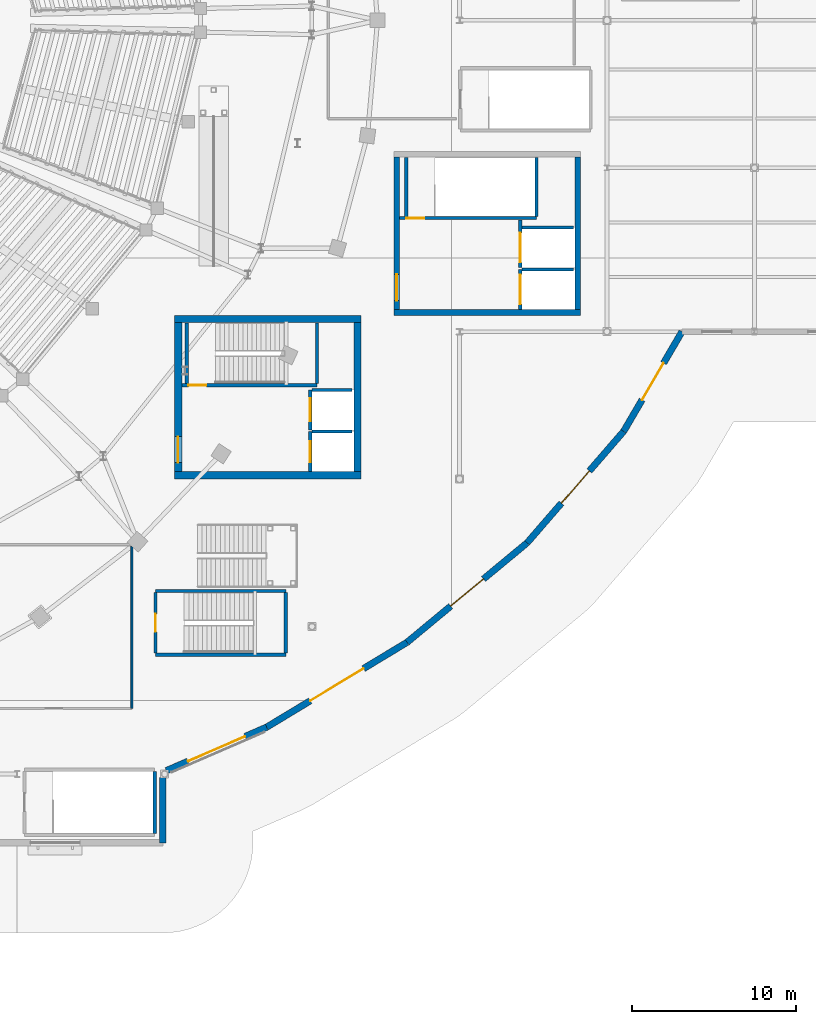
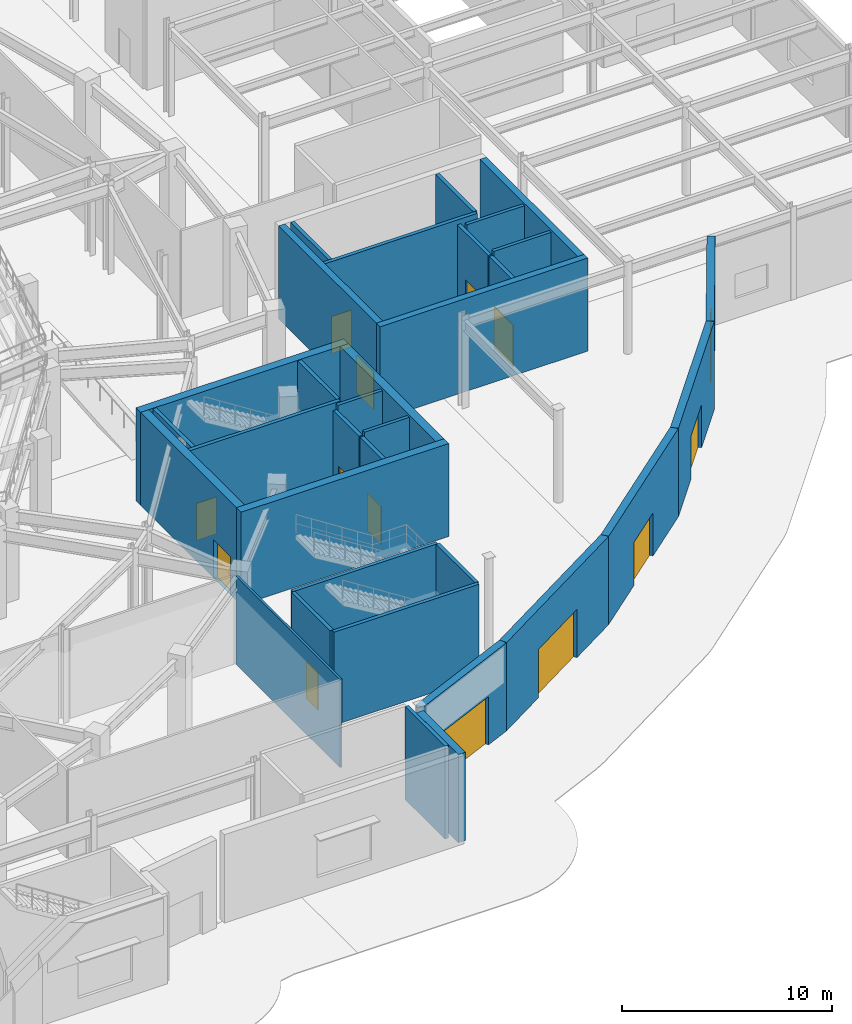
# One storey, part 54 of 79: 33 walls, 14 doors, 14 openings.
"""IFC4 building model written with IfcOpenShell, lengths in metres."""

from ifc_helpers import new_model, si_unit, direction, frame, frame_2d, origin, place, context, subcontext, project, spatial, rectangle, extrude, material, layer, layer_set, type_object, element, fill, save


model = new_model("IFC4")

# Units and contexts
model_context = context("Model", 3, precision=1e-05, world=origin(), true_north=direction((0.0, 1.0)))
body_context = subcontext(model_context, "Body", "Model", "MODEL_VIEW")
ifc_project = project(units=[si_unit("LENGTHUNIT", "METRE"), si_unit("AREAUNIT", "SQUARE_METRE"), si_unit("VOLUMEUNIT", "CUBIC_METRE"), si_unit("PLANEANGLEUNIT", "RADIAN"), si_unit("MASSUNIT", "GRAM", prefix="KILO")], contexts=[model_context])

# Site, building, storey
site_placement = place(None, origin())
site = spatial("IfcSite", under=ifc_project, at=site_placement, CompositionType="ELEMENT")
building_placement = place(site_placement, origin())
building = spatial("IfcBuilding", under=site, at=building_placement, Name="Glasvene Arena", CompositionType="ELEMENT")
storey_placement = place(building_placement, origin())
storey = spatial("IfcBuildingStorey", under=building, at=storey_placement, Name="L00", CompositionType="ELEMENT", Elevation=0.0)

# Wall
ifc_material_1 = material(Name="Concrete C40/50", Category="concrete")
ifc_layer_1 = layer(ifc_material_1, 0.35009765625)
ifc_layer_set_1 = layer_set([ifc_layer_1], Name="Concrete C40/50")
wall_type_1 = type_object("IfcWallType", Name="WL-CORE-350", PredefinedType="SHEAR", material=ifc_layer_set_1)
wall_1_placement = place(storey_placement, frame((143.0, 55.175048828125, 0.0), z_axis=(0.0, 0.0, 1.0), x_axis=(1.0, 0.0, 0.0)))
element("IfcWall", 1, at=wall_1_placement, inside=storey, type_object=wall_type_1, Name="Core C6 Production shear wall S L00", PredefinedType="SHEAR", context=body_context, shape_type="SweptSolid", body=[
    extrude(rectangle(XDim=11.39990234375, YDim=0.35009765625, at=frame_2d((5.699951171875, 0.0))), origin(), (0.0, 0.0, 1.0), 5.39990234375),
])

# Wall, opening, door
wall_2_placement = place(storey_placement, frame((143.175048828125, 55.35009765625, 0.0), z_axis=(0.0, 0.0, 1.0), x_axis=(0.0, 1.0, 0.0)))
wall_2 = element("IfcWall", 2, at=wall_2_placement, inside=storey, type_object=wall_type_1, Name="Core C6 Production shear wall W L00", PredefinedType="SHEAR", context=body_context, shape_type="SweptSolid", body=[
    extrude(rectangle(XDim=9.2998046875, YDim=0.35009765625, at=frame_2d((4.64990234375, 0.0))), origin(), (0.0, 0.0, 1.0), 5.39990234375),
])
opening_1_placement = place(wall_2_placement, frame((0.550048828125, 0.0, 0.0)))
opening_1 = element("IfcOpeningElement", 3, at=opening_1_placement, cuts=wall_2, Name="Opening D-02", PredefinedType="OPENING", context=body_context, shape_type="SweptSolid", body=[
    extrude(rectangle(XDim=1.60009765625, YDim=2.199951171875, at=frame_2d((0.800048828125, 1.10009765625))), frame((0.0, 0.18505859375, 0.0), z_axis=(0.0, -1.0, 0.0), x_axis=(1.0, 0.0, 0.0)), (0.0, 0.0, 1.0), 0.3701171875),
])
ifc_material_2 = material(Name="Painted fire-resisting steel", Category="steel")
door_type_1 = type_object("IfcDoorType", Name="DR-FD60-1600", OperationType="DOUBLE_DOOR_SINGLE_SWING", PredefinedType="DOOR", material=ifc_material_2)
door_1_placement = place(opening_1_placement, frame((1.60009765625, 0.0, 0.0), z_axis=(0.0, 0.0, 1.0), x_axis=(-1.0, 0.0, 0.0)))
door_1 = element("IfcDoor", 4, at=door_1_placement, inside=storey, type_object=door_type_1, Name="Core firefighting lobby concourse door C6-L00", OperationType="DOUBLE_DOOR_SINGLE_SWING", OverallHeight=2.199951171875, OverallWidth=1.60009765625, PredefinedType="DOOR", context=body_context, shape_type="SweptSolid", body=[
    extrude(rectangle(XDim=1.60009765625, YDim=2.199951171875, at=frame_2d((0.800048828125, 1.10009765625))), frame((0.0, 0.02490234375, 0.0), z_axis=(0.0, -1.0, 0.0), x_axis=(1.0, 0.0, 0.0)), (0.0, 0.0, 1.0), 0.050048828125),
])
fill(opening_1, door_1)

# Walls
wall_3_placement = place(storey_placement, frame((154.22509765625, 55.35009765625, 0.0), z_axis=(0.0, 0.0, 1.0), x_axis=(0.0, 1.0, 0.0)))
element("IfcWall", 5, at=wall_3_placement, inside=storey, type_object=wall_type_1, Name="Core C6 Production shear wall E L00", PredefinedType="SHEAR", context=body_context, shape_type="SweptSolid", body=[
    extrude(rectangle(XDim=9.2998046875, YDim=0.35009765625, at=frame_2d((4.64990234375, 0.0))), origin(), (0.0, 0.0, 1.0), 5.39990234375),
])
ifc_layer_2 = layer(ifc_material_1, 0.449951171875)
ifc_layer_set_2 = layer_set([ifc_layer_2], Name="Concrete C40/50")
wall_type_2 = type_object("IfcWallType", Name="WL-CORE-450", PredefinedType="SHEAR", material=ifc_layer_set_2)
for number, where, z_axis, x_axis, name in (
    (6, (129.60009765625, 45.22509765625, 0.0), (0.0, 0.0, 1.0), (1.0, 0.0, 0.0), "Core C4 South-East shear wall S L00"),
    (7, (129.60009765625, 54.77490234375, 0.0), (0.0, 0.0, 1.0), (1.0, 0.0, 0.0), "Core C4 South-East shear wall N L00"),
):
    element("IfcWall", number, at=place(storey_placement, frame(where, z_axis=z_axis, x_axis=x_axis)), inside=storey, type_object=wall_type_2, Name=name, PredefinedType="SHEAR", context=body_context, shape_type="SweptSolid", body=[
        extrude(rectangle(XDim=11.39990234375, YDim=0.449951171875, at=frame_2d((5.699951171875, 0.0))), origin(), (0.0, 0.0, 1.0), 5.39990234375),
    ])

# Wall, opening, door
wall_4_placement = place(storey_placement, frame((129.824951171875, 45.449951171875, 0.0), z_axis=(0.0, 0.0, 1.0), x_axis=(0.0, 1.0, 0.0)))
wall_4 = element("IfcWall", 8, at=wall_4_placement, inside=storey, type_object=wall_type_2, Name="Core C4 South-East shear wall W L00", PredefinedType="SHEAR", context=body_context, shape_type="SweptSolid", body=[
    extrude(rectangle(XDim=9.10009765625, YDim=0.449951171875, at=frame_2d((4.550048828125, 0.0))), origin(), (0.0, 0.0, 1.0), 5.39990234375),
])
opening_2_placement = place(wall_4_placement, frame((0.550048828125, 0.0, 0.0)))
opening_2 = element("IfcOpeningElement", 9, at=opening_2_placement, cuts=wall_4, Name="Opening D-02", PredefinedType="OPENING", context=body_context, shape_type="SweptSolid", body=[
    extrude(rectangle(XDim=1.60009765625, YDim=2.199951171875, at=frame_2d((0.800048828125, 1.10009765625))), frame((0.0, 0.23486328125, 0.0), z_axis=(0.0, -1.0, 0.0), x_axis=(1.0, 0.0, 0.0)), (0.0, 0.0, 1.0), 0.469970703125),
])
door_2_placement = place(opening_2_placement, frame((1.60009765625, 0.0, 0.0), z_axis=(0.0, 0.0, 1.0), x_axis=(-1.0, 0.0, 0.0)))
door_2 = element("IfcDoor", 10, at=door_2_placement, inside=storey, type_object=door_type_1, Name="Core firefighting lobby concourse door C4-L00", OperationType="DOUBLE_DOOR_SINGLE_SWING", OverallHeight=2.199951171875, OverallWidth=1.60009765625, PredefinedType="DOOR", context=body_context, shape_type="SweptSolid", body=[
    extrude(rectangle(XDim=1.60009765625, YDim=2.199951171875, at=frame_2d((0.800048828125, 1.10009765625))), frame((0.0, 0.02490234375, 0.0), z_axis=(0.0, -1.0, 0.0), x_axis=(1.0, 0.0, 0.0)), (0.0, 0.0, 1.0), 0.050048828125),
])
fill(opening_2, door_2)

# Wall
wall_5_placement = place(storey_placement, frame((140.77490234375, 45.449951171875, 0.0), z_axis=(0.0, 0.0, 1.0), x_axis=(0.0, 1.0, 0.0)))
element("IfcWall", 11, at=wall_5_placement, inside=storey, type_object=wall_type_2, Name="Core C4 South-East shear wall E L00", PredefinedType="SHEAR", context=body_context, shape_type="SweptSolid", body=[
    extrude(rectangle(XDim=9.10009765625, YDim=0.449951171875, at=frame_2d((4.550048828125, 0.0))), origin(), (0.0, 0.0, 1.0), 5.39990234375),
])

# Wall, opening, door
ifc_material_3 = material(Name="Coursed pale Irish limestone", Category="masonry")
ifc_layer_3 = layer(ifc_material_3, 0.39990234375)
ifc_layer_set_3 = layer_set([ifc_layer_3], Name="Coursed pale Irish limestone")
wall_type_3 = type_object("IfcWallType", Name="WL-EXT-LIM-400", PredefinedType="STANDARD", material=ifc_layer_set_3)
wall_6_placement = place(storey_placement, frame((160.580322265625, 54.0, 0.0), z_axis=(0.0, 0.0, 1.0), x_axis=(-0.505106237674, -0.863057175779, 0.0)))
wall_6 = element("IfcWall", 12, at=wall_6_placement, inside=storey, type_object=wall_type_3, Name="External facade wall EW-L00-0036", PredefinedType="STANDARD", context=body_context, shape_type="SweptSolid", body=[
    extrude(rectangle(XDim=7.051025390625, YDim=0.39990234375, at=frame_2d((3.525390625, 0.0))), origin(), (0.0, 0.0, 1.0), 5.1201171875),
])
opening_3_placement = place(wall_6_placement, frame((2.22607421875, 0.0, 0.0)))
opening_3 = element("IfcOpeningElement", 13, at=opening_3_placement, cuts=wall_6, Name="Opening G-EXIT", PredefinedType="OPENING", context=body_context, shape_type="SweptSolid", body=[
    extrude(rectangle(XDim=2.60009765625, YDim=2.5, at=frame_2d((1.300048828125, 1.25))), frame((0.0, 0.2099609375, 0.0), z_axis=(0.0, -1.0, 0.0), x_axis=(1.0, 0.0, 0.0)), (0.0, 0.0, 1.0), 0.419921875),
])
ifc_material_4 = material(Name="Galvanised painted steel", Category="steel")
door_type_2 = type_object("IfcDoorType", Name="DR-GATE-2600", OperationType="DOUBLE_DOOR_SINGLE_SWING", PredefinedType="DOOR", material=ifc_material_4)
door_3_placement = place(opening_3_placement, origin())
door_3 = element("IfcDoor", 14, at=door_3_placement, inside=storey, type_object=door_type_2, Name="Pedestrian exit gate G01", OperationType="DOUBLE_DOOR_SINGLE_SWING", OverallHeight=2.5, OverallWidth=2.60009765625, PredefinedType="DOOR", context=body_context, shape_type="SweptSolid", body=[
    extrude(rectangle(XDim=2.60009765625, YDim=2.5, at=frame_2d((1.300048828125, 1.25))), frame((0.0, 0.02490234375, 0.0), z_axis=(0.0, -1.0, 0.0), x_axis=(1.0, 0.0, 0.0)), (0.0, 0.0, 1.0), 0.050048828125),
])
fill(opening_3, door_3)

wall_7_placement = place(storey_placement, frame((157.018798828125, 47.91455078125, 0.0), z_axis=(0.0, 0.0, 1.0), x_axis=(-0.654583444965, -0.755989757588, 0.0)))
wall_7 = element("IfcWall", 15, at=wall_7_placement, inside=storey, type_object=wall_type_3, Name="External facade wall EW-L00-0037", PredefinedType="STANDARD", context=body_context, shape_type="SweptSolid", body=[
    extrude(rectangle(XDim=8.99951171875, YDim=0.39990234375, at=frame_2d((4.499755859375, 0.0))), origin(), (0.0, 0.0, 1.0), 5.1201171875),
])
opening_4_placement = place(wall_7_placement, frame((3.199951171875, 0.0, 0.0)))
opening_4 = element("IfcOpeningElement", 16, at=opening_4_placement, cuts=wall_7, Name="Opening G-EXIT", PredefinedType="OPENING", context=body_context, shape_type="SweptSolid", body=[
    extrude(rectangle(XDim=2.60009765625, YDim=2.5, at=frame_2d((1.300048828125, 1.25))), frame((0.0, 0.2099609375, 0.0), z_axis=(0.0, -1.0, 0.0), x_axis=(1.0, 0.0, 0.0)), (0.0, 0.0, 1.0), 0.419921875),
])
door_4_placement = place(opening_4_placement, origin())
door_4 = element("IfcDoor", 17, at=door_4_placement, inside=storey, type_object=door_type_2, Name="Pedestrian exit gate G02", OperationType="DOUBLE_DOOR_SINGLE_SWING", OverallHeight=2.5, OverallWidth=2.60009765625, PredefinedType="DOOR", context=body_context, shape_type="SweptSolid", body=[
    extrude(rectangle(XDim=2.60009765625, YDim=2.5, at=frame_2d((1.300048828125, 1.25))), frame((0.0, 0.02490234375, 0.0), z_axis=(0.0, -1.0, 0.0), x_axis=(1.0, 0.0, 0.0)), (0.0, 0.0, 1.0), 0.050048828125),
])
fill(opening_4, door_4)

wall_8_placement = place(storey_placement, frame((151.1279296875, 41.111083984375, 0.0), z_axis=(0.0, 0.0, 1.0), x_axis=(-0.770002821077, -0.638040481109, 0.0)))
wall_8 = element("IfcWall", 18, at=wall_8_placement, inside=storey, type_object=wall_type_3, Name="External facade wall EW-L00-0038", PredefinedType="STANDARD", context=body_context, shape_type="SweptSolid", body=[
    extrude(rectangle(XDim=9.509521484375, YDim=0.39990234375, at=frame_2d((4.7548828125, 0.0))), origin(), (0.0, 0.0, 1.0), 5.1201171875),
])
opening_5_placement = place(wall_8_placement, frame((3.455078125, 0.0, 0.0)))
opening_5 = element("IfcOpeningElement", 19, at=opening_5_placement, cuts=wall_8, Name="Opening G-EXIT", PredefinedType="OPENING", context=body_context, shape_type="SweptSolid", body=[
    extrude(rectangle(XDim=2.60009765625, YDim=2.5, at=frame_2d((1.300048828125, 1.25))), frame((0.0, 0.2099609375, 0.0), z_axis=(0.0, -1.0, 0.0), x_axis=(1.0, 0.0, 0.0)), (0.0, 0.0, 1.0), 0.419921875),
])
door_5_placement = place(opening_5_placement, origin())
door_5 = element("IfcDoor", 20, at=door_5_placement, inside=storey, type_object=door_type_2, Name="Pedestrian exit gate G03", OperationType="DOUBLE_DOOR_SINGLE_SWING", OverallHeight=2.5, OverallWidth=2.60009765625, PredefinedType="DOOR", context=body_context, shape_type="SweptSolid", body=[
    extrude(rectangle(XDim=2.60009765625, YDim=2.5, at=frame_2d((1.300048828125, 1.25))), frame((0.0, 0.02490234375, 0.0), z_axis=(0.0, -1.0, 0.0), x_axis=(1.0, 0.0, 0.0)), (0.0, 0.0, 1.0), 0.050048828125),
])
fill(opening_5, door_5)

wall_9_placement = place(storey_placement, frame((143.8056640625, 35.043701171875, 0.0), z_axis=(0.0, 0.0, 1.0), x_axis=(-0.855806756957, -0.517295655062, 0.0)))
wall_9 = element("IfcWall", 21, at=wall_9_placement, inside=storey, type_object=wall_type_3, Name="External facade wall EW-L00-0039", PredefinedType="STANDARD", context=body_context, shape_type="SweptSolid", body=[
    extrude(rectangle(XDim=10.017822265625, YDim=0.39990234375, at=frame_2d((5.0087890625, 0.0))), origin(), (0.0, 0.0, 1.0), 5.1201171875),
])
opening_6_placement = place(wall_9_placement, frame((3.10888671875, 0.0, 0.0)))
opening_6 = element("IfcOpeningElement", 22, at=opening_6_placement, cuts=wall_9, Name="Opening E-MAIN", PredefinedType="OPENING", context=body_context, shape_type="SweptSolid", body=[
    extrude(rectangle(XDim=3.800048828125, YDim=2.800048828125, at=frame_2d((1.89990234375, 1.39990234375))), frame((0.0, 0.2099609375, 0.0), z_axis=(0.0, -1.0, 0.0), x_axis=(1.0, 0.0, 0.0)), (0.0, 0.0, 1.0), 0.419921875),
])
ifc_material_5 = material(Name="Anodised architectural aluminium", Category="aluminium")
door_type_3 = type_object("IfcDoorType", Name="DR-ENT-3800", OperationType="DOUBLE_DOOR_SINGLE_SWING", PredefinedType="DOOR", material=ifc_material_5)
door_6_placement = place(opening_6_placement, origin())
door_6 = element("IfcDoor", 23, at=door_6_placement, inside=storey, type_object=door_type_3, Name="Main entrance E13", OperationType="DOUBLE_DOOR_SINGLE_SWING", OverallHeight=2.800048828125, OverallWidth=3.800048828125, PredefinedType="DOOR", context=body_context, shape_type="SweptSolid", body=[
    extrude(rectangle(XDim=3.800048828125, YDim=2.800048828125, at=frame_2d((1.89990234375, 1.39990234375))), frame((0.0, 0.02490234375, 0.0), z_axis=(0.0, -1.0, 0.0), x_axis=(1.0, 0.0, 0.0)), (0.0, 0.0, 1.0), 0.050048828125),
])
fill(opening_6, door_6)

wall_10_placement = place(storey_placement, frame((135.232421875, 29.861572265625, 0.0), z_axis=(0.0, 0.0, 1.0), x_axis=(-0.917428392804, -0.397900922437, 0.0)))
wall_10 = element("IfcWall", 24, at=wall_10_placement, inside=storey, type_object=wall_type_3, Name="External facade wall EW-L00-0040", PredefinedType="STANDARD", context=body_context, shape_type="SweptSolid", body=[
    extrude(rectangle(XDim=6.67626953125, YDim=0.39990234375, at=frame_2d((3.338134765625, 0.0))), origin(), (0.0, 0.0, 1.0), 5.1201171875),
])
opening_7_placement = place(wall_10_placement, frame((1.43798828125, 0.0, 0.0)))
opening_7 = element("IfcOpeningElement", 25, at=opening_7_placement, cuts=wall_10, Name="Opening E-MAIN", PredefinedType="OPENING", context=body_context, shape_type="SweptSolid", body=[
    extrude(rectangle(XDim=3.800048828125, YDim=2.800048828125, at=frame_2d((1.89990234375, 1.39990234375))), frame((0.0, 0.2099609375, 0.0), z_axis=(0.0, -1.0, 0.0), x_axis=(1.0, 0.0, 0.0)), (0.0, 0.0, 1.0), 0.419921875),
])
door_7_placement = place(opening_7_placement, origin())
door_7 = element("IfcDoor", 26, at=door_7_placement, inside=storey, type_object=door_type_3, Name="Main entrance E14", OperationType="DOUBLE_DOOR_SINGLE_SWING", OverallHeight=2.800048828125, OverallWidth=3.800048828125, PredefinedType="DOOR", context=body_context, shape_type="SweptSolid", body=[
    extrude(rectangle(XDim=3.800048828125, YDim=2.800048828125, at=frame_2d((1.89990234375, 1.39990234375))), frame((0.0, 0.02490234375, 0.0), z_axis=(0.0, -1.0, 0.0), x_axis=(1.0, 0.0, 0.0)), (0.0, 0.0, 1.0), 0.050048828125),
])
fill(opening_7, door_7)

# Walls
wall_11_placement = place(storey_placement, frame((128.89990234375, 26.794921875, 0.0), z_axis=(0.0, 0.0, 1.0), x_axis=(0.0, -1.0, 0.0)))
element("IfcWall", 27, at=wall_11_placement, inside=storey, type_object=wall_type_3, Name="External facade wall EW-L00-0041", PredefinedType="STANDARD", context=body_context, shape_type="SweptSolid", body=[
    extrude(rectangle(XDim=3.994873046875, YDim=0.39990234375, at=frame_2d((1.99755859375, 0.0))), origin(), (0.0, 0.0, 1.0), 5.1201171875),
])
ifc_material_6 = material(Name="Lightweight gypsum metal-stud partition")
ifc_layer_4 = layer(ifc_material_6, 0.1201171875)
ifc_layer_set_4 = layer_set([ifc_layer_4], Name="Lightweight gypsum metal-stud partition")
wall_type_4 = type_object("IfcWallType", Name="WL-PART-120", PredefinedType="PARTITIONING", material=ifc_layer_set_4)
wall_12_placement = place(storey_placement, frame((127.0, 40.88916015625, 0.0), z_axis=(0.0, 0.0, 1.0), x_axis=(0.0, -1.0, 0.0)))
element("IfcWall", 28, at=wall_12_placement, inside=storey, type_object=wall_type_4, Name="Interior partition wall IW-L00-0081 (Match Officials Desk and Briefing)", PredefinedType="PARTITIONING", context=body_context, shape_type="SweptSolid", body=[
    extrude(rectangle(XDim=9.88916015625, YDim=0.1201171875, at=frame_2d((4.944580078125, 0.0))), origin(), (0.0, 0.0, 1.0), 5.1201171875),
])

# Wall, opening, door
ifc_layer_5 = layer(ifc_material_1, 0.199951171875)
ifc_layer_set_5 = layer_set([ifc_layer_5], Name="Concrete C40/50")
wall_type_5 = type_object("IfcWallType", Name="WL-SHAFT-200", PredefinedType="SHEAR", material=ifc_layer_set_5)
wall_13_placement = place(storey_placement, frame((137.89990234375, 45.449951171875, 0.0), z_axis=(0.0, 0.0, 1.0), x_axis=(0.0, 1.0, 0.0)))
wall_13 = element("IfcWall", 29, at=wall_13_placement, inside=storey, type_object=wall_type_5, Name="Lift shaft front wall FFL-04 L00", PredefinedType="SHEAR", context=body_context, shape_type="SweptSolid", body=[
    extrude(rectangle(XDim=2.449951171875, YDim=0.199951171875, at=frame_2d((1.22509765625, 0.0))), origin(), (0.0, 0.0, 1.0), 5.1201171875),
])
opening_8_placement = place(wall_13_placement, frame((0.574951171875, 0.0, 0.0)))
opening_8 = element("IfcOpeningElement", 30, at=opening_8_placement, cuts=wall_13, Name="Opening LD-FF", PredefinedType="OPENING", context=body_context, shape_type="SweptSolid", body=[
    extrude(rectangle(XDim=1.300048828125, YDim=2.199951171875, at=frame_2d((0.64990234375, 1.10009765625))), frame((0.0, 0.10986328125, 0.0), z_axis=(0.0, -1.0, 0.0), x_axis=(1.0, 0.0, 0.0)), (0.0, 0.0, 1.0), 0.219970703125),
])
ifc_material_7 = material(Name="Brushed stainless steel", Category="steel")
door_type_4 = type_object("IfcDoorType", Name="LD-FFL-1300", OperationType="DOUBLE_DOOR_SLIDING", PredefinedType="DOOR", material=ifc_material_7)
door_8_placement = place(opening_8_placement, origin())
door_8 = element("IfcDoor", 31, at=door_8_placement, inside=storey, type_object=door_type_4, Name="Lift sliding landing door LD-FFL-04-L00", OperationType="DOUBLE_DOOR_SLIDING", OverallHeight=2.199951171875, OverallWidth=1.300048828125, PredefinedType="DOOR", context=body_context, shape_type="SweptSolid", body=[
    extrude(rectangle(XDim=1.300048828125, YDim=2.199951171875, at=frame_2d((0.64990234375, 1.10009765625))), frame((0.0, 0.02490234375, 0.0), z_axis=(0.0, -1.0, 0.0), x_axis=(1.0, 0.0, 0.0)), (0.0, 0.0, 1.0), 0.050048828125),
])
fill(opening_8, door_8)

wall_14_placement = place(storey_placement, frame((137.89990234375, 48.0, 0.0), z_axis=(0.0, 0.0, 1.0), x_axis=(0.0, 1.0, 0.0)))
wall_14 = element("IfcWall", 32, at=wall_14_placement, inside=storey, type_object=wall_type_5, Name="Lift shaft front wall PL-04 L00", PredefinedType="SHEAR", context=body_context, shape_type="SweptSolid", body=[
    extrude(rectangle(XDim=2.449951171875, YDim=0.199951171875, at=frame_2d((1.22509765625, 0.0))), origin(), (0.0, 0.0, 1.0), 5.1201171875),
])
opening_9_placement = place(wall_14_placement, frame((0.52490234375, 0.0, 0.0)))
opening_9 = element("IfcOpeningElement", 33, at=opening_9_placement, cuts=wall_14, Name="Opening LD-PL", PredefinedType="OPENING", context=body_context, shape_type="SweptSolid", body=[
    extrude(rectangle(XDim=1.39990234375, YDim=2.199951171875, at=frame_2d((0.699951171875, 1.10009765625))), frame((0.0, 0.10986328125, 0.0), z_axis=(0.0, -1.0, 0.0), x_axis=(1.0, 0.0, 0.0)), (0.0, 0.0, 1.0), 0.219970703125),
])
door_type_5 = type_object("IfcDoorType", Name="LD-PL-1400", OperationType="DOUBLE_DOOR_SLIDING", PredefinedType="DOOR", material=ifc_material_7)
door_9_placement = place(opening_9_placement, origin())
door_9 = element("IfcDoor", 34, at=door_9_placement, inside=storey, type_object=door_type_5, Name="Lift sliding landing door LD-PL-04-L00", OperationType="DOUBLE_DOOR_SLIDING", OverallHeight=2.199951171875, OverallWidth=1.39990234375, PredefinedType="DOOR", context=body_context, shape_type="SweptSolid", body=[
    extrude(rectangle(XDim=1.39990234375, YDim=2.199951171875, at=frame_2d((0.699951171875, 1.10009765625))), frame((0.0, 0.02490234375, 0.0), z_axis=(0.0, -1.0, 0.0), x_axis=(1.0, 0.0, 0.0)), (0.0, 0.0, 1.0), 0.050048828125),
])
fill(opening_9, door_9)

wall_15_placement = place(storey_placement, frame((150.699951171875, 55.35009765625, 0.0), z_axis=(0.0, 0.0, 1.0), x_axis=(0.0, 1.0, 0.0)))
wall_15 = element("IfcWall", 35, at=wall_15_placement, inside=storey, type_object=wall_type_5, Name="Lift shaft front wall GL-01 L00", PredefinedType="SHEAR", context=body_context, shape_type="SweptSolid", body=[
    extrude(rectangle(XDim=2.449951171875, YDim=0.199951171875, at=frame_2d((1.22509765625, 0.0))), origin(), (0.0, 0.0, 1.0), 5.1201171875),
])
opening_10_placement = place(wall_15_placement, frame((0.324951171875, 0.0, 0.0)))
opening_10 = element("IfcOpeningElement", 36, at=opening_10_placement, cuts=wall_15, Name="Opening LD-GL", PredefinedType="OPENING", context=body_context, shape_type="SweptSolid", body=[
    extrude(rectangle(XDim=1.800048828125, YDim=2.39990234375, at=frame_2d((0.89990234375, 1.199951171875))), frame((0.0, 0.10986328125, 0.0), z_axis=(0.0, -1.0, 0.0), x_axis=(1.0, 0.0, 0.0)), (0.0, 0.0, 1.0), 0.219970703125),
])
door_type_6 = type_object("IfcDoorType", Name="LD-GL-1800", OperationType="DOUBLE_DOOR_SLIDING", PredefinedType="DOOR", material=ifc_material_7)
door_10_placement = place(opening_10_placement, origin())
door_10 = element("IfcDoor", 37, at=door_10_placement, inside=storey, type_object=door_type_6, Name="Lift sliding landing door LD-GL-01-L00", OperationType="DOUBLE_DOOR_SLIDING", OverallHeight=2.39990234375, OverallWidth=1.800048828125, PredefinedType="DOOR", context=body_context, shape_type="SweptSolid", body=[
    extrude(rectangle(XDim=1.800048828125, YDim=2.39990234375, at=frame_2d((0.89990234375, 1.199951171875))), frame((0.0, 0.02490234375, 0.0), z_axis=(0.0, -1.0, 0.0), x_axis=(1.0, 0.0, 0.0)), (0.0, 0.0, 1.0), 0.050048828125),
])
fill(opening_10, door_10)

wall_16_placement = place(storey_placement, frame((150.699951171875, 57.89990234375, 0.0), z_axis=(0.0, 0.0, 1.0), x_axis=(0.0, 1.0, 0.0)))
wall_16 = element("IfcWall", 38, at=wall_16_placement, inside=storey, type_object=wall_type_5, Name="Lift shaft front wall GL-02 L00", PredefinedType="SHEAR", context=body_context, shape_type="SweptSolid", body=[
    extrude(rectangle(XDim=2.927978515625, YDim=0.199951171875, at=frame_2d((1.4638671875, 0.0))), origin(), (0.0, 0.0, 1.0), 5.1201171875),
])
opening_11_placement = place(wall_16_placement, frame((0.324951171875, 0.0, 0.0)))
opening_11 = element("IfcOpeningElement", 39, at=opening_11_placement, cuts=wall_16, Name="Opening LD-GL", PredefinedType="OPENING", context=body_context, shape_type="SweptSolid", body=[
    extrude(rectangle(XDim=1.800048828125, YDim=2.39990234375, at=frame_2d((0.89990234375, 1.199951171875))), frame((0.0, 0.10986328125, 0.0), z_axis=(0.0, -1.0, 0.0), x_axis=(1.0, 0.0, 0.0)), (0.0, 0.0, 1.0), 0.219970703125),
])
door_11_placement = place(opening_11_placement, origin())
door_11 = element("IfcDoor", 40, at=door_11_placement, inside=storey, type_object=door_type_6, Name="Lift sliding landing door LD-GL-02-L00", OperationType="DOUBLE_DOOR_SLIDING", OverallHeight=2.39990234375, OverallWidth=1.800048828125, PredefinedType="DOOR", context=body_context, shape_type="SweptSolid", body=[
    extrude(rectangle(XDim=1.800048828125, YDim=2.39990234375, at=frame_2d((0.89990234375, 1.199951171875))), frame((0.0, 0.02490234375, 0.0), z_axis=(0.0, -1.0, 0.0), x_axis=(1.0, 0.0, 0.0)), (0.0, 0.0, 1.0), 0.050048828125),
])
fill(opening_11, door_11)

wall_17_placement = place(storey_placement, frame((130.052001953125, 50.72998046875, 0.0), z_axis=(0.0, 0.0, 1.0), x_axis=(1.0, 0.0, 0.0)))
wall_17 = element("IfcWall", 41, at=wall_17_placement, inside=storey, type_object=wall_type_5, Name="Escape stair shaft wall ST-04 L00 S", PredefinedType="SHEAR", context=body_context, shape_type="SweptSolid", body=[
    extrude(rectangle(XDim=8.248046875, YDim=0.199951171875, at=frame_2d((4.1240234375, 0.0))), origin(), (0.0, 0.0, 1.0), 5.39990234375),
])
opening_12_placement = place(wall_17_placement, frame((0.39990234375, 0.0, 0.0)))
opening_12 = element("IfcOpeningElement", 42, at=opening_12_placement, cuts=wall_17, Name="Opening D-04", PredefinedType="OPENING", context=body_context, shape_type="SweptSolid", body=[
    extrude(rectangle(XDim=1.10009765625, YDim=2.14990234375, at=frame_2d((0.550048828125, 1.074951171875))), frame((0.0, 0.10986328125, 0.0), z_axis=(0.0, -1.0, 0.0), x_axis=(1.0, 0.0, 0.0)), (0.0, 0.0, 1.0), 0.219970703125),
])
door_type_7 = type_object("IfcDoorType", Name="DR-FD60-1100", OperationType="NOTDEFINED", PredefinedType="DOOR", material=ifc_material_2)
door_12_placement = place(opening_12_placement, frame((1.10009765625, 0.0, 0.0), z_axis=(0.0, 0.0, 1.0), x_axis=(-1.0, 0.0, 0.0)))
door_12 = element("IfcDoor", 43, at=door_12_placement, inside=storey, type_object=door_type_7, Name="Protected escape stair door ST-04 L00", OperationType="SINGLE_SWING_RIGHT", OverallHeight=2.14990234375, OverallWidth=1.10009765625, PredefinedType="DOOR", context=body_context, shape_type="SweptSolid", body=[
    extrude(rectangle(XDim=1.10009765625, YDim=2.14990234375, at=frame_2d((0.550048828125, 1.074951171875))), frame((0.0, 0.02490234375, 0.0), z_axis=(0.0, -1.0, 0.0), x_axis=(1.0, 0.0, 0.0)), (0.0, 0.0, 1.0), 0.050048828125),
])
fill(opening_12, door_12)

# Walls
for number, where, z_axis, x_axis, name in (
    (44, (130.35009765625, 50.83203125, 0.0), (0.0, 0.0, 1.0), (0.0, 1.0, 0.0), "Escape stair shaft wall ST-04 L00 W"),
    (45, (138.300048828125, 50.83203125, 0.0), (0.0, 0.0, 1.0), (0.0, 1.0, 0.0), "Escape stair shaft wall ST-04 L00 E"),
):
    element("IfcWall", number, at=place(storey_placement, frame(where, z_axis=z_axis, x_axis=x_axis)), inside=storey, type_object=wall_type_5, Name=name, PredefinedType="SHEAR", context=body_context, shape_type="SweptSolid", body=[
        extrude(rectangle(XDim=3.68603515625, YDim=0.199951171875, at=frame_2d((1.843017578125, 0.0))), origin(), (0.0, 0.0, 1.0), 5.39990234375),
    ])
wall_18_placement = place(storey_placement, frame((128.449951171875, 34.280029296875, 0.0), z_axis=(0.0, 0.0, 1.0), x_axis=(1.0, 0.0, 0.0)))
element("IfcWall", 46, at=wall_18_placement, inside=storey, type_object=wall_type_5, Name="Escape stair shaft wall ST-06 L00 S", PredefinedType="SHEAR", context=body_context, shape_type="SweptSolid", body=[
    extrude(rectangle(XDim=7.949951171875, YDim=0.199951171875, at=frame_2d((3.97509765625, 0.0))), origin(), (0.0, 0.0, 1.0), 5.39990234375),
])

# Wall, opening, door
wall_19_placement = place(storey_placement, frame((128.449951171875, 34.382080078125, 0.0), z_axis=(0.0, 0.0, 1.0), x_axis=(0.0, 1.0, 0.0)))
wall_19 = element("IfcWall", 47, at=wall_19_placement, inside=storey, type_object=wall_type_5, Name="Escape stair shaft wall ST-06 L00 W", PredefinedType="SHEAR", context=body_context, shape_type="SweptSolid", body=[
    extrude(rectangle(XDim=3.68603515625, YDim=0.199951171875, at=frame_2d((1.843017578125, 0.0))), origin(), (0.0, 0.0, 1.0), 5.39990234375),
])
opening_13_placement = place(wall_19_placement, frame((1.29296875, 0.0, 0.0)))
opening_13 = element("IfcOpeningElement", 48, at=opening_13_placement, cuts=wall_19, Name="Opening D-04", PredefinedType="OPENING", context=body_context, shape_type="SweptSolid", body=[
    extrude(rectangle(XDim=1.10009765625, YDim=2.14990234375, at=frame_2d((0.550048828125, 1.074951171875))), frame((0.0, 0.10986328125, 0.0), z_axis=(0.0, -1.0, 0.0), x_axis=(1.0, 0.0, 0.0)), (0.0, 0.0, 1.0), 0.219970703125),
])
door_13_placement = place(opening_13_placement, frame((1.10009765625, 0.0, 0.0), z_axis=(0.0, 0.0, 1.0), x_axis=(-1.0, 0.0, 0.0)))
door_13 = element("IfcDoor", 49, at=door_13_placement, inside=storey, type_object=door_type_7, Name="Protected escape stair door ST-06 L00", OperationType="SINGLE_SWING_RIGHT", OverallHeight=2.14990234375, OverallWidth=1.10009765625, PredefinedType="DOOR", context=body_context, shape_type="SweptSolid", body=[
    extrude(rectangle(XDim=1.10009765625, YDim=2.14990234375, at=frame_2d((0.550048828125, 1.074951171875))), frame((0.0, 0.02490234375, 0.0), z_axis=(0.0, -1.0, 0.0), x_axis=(1.0, 0.0, 0.0)), (0.0, 0.0, 1.0), 0.050048828125),
])
fill(opening_13, door_13)

# Walls
wall_20_placement = place(storey_placement, frame((136.39990234375, 34.382080078125, 0.0), z_axis=(0.0, 0.0, 1.0), x_axis=(0.0, 1.0, 0.0)))
element("IfcWall", 50, at=wall_20_placement, inside=storey, type_object=wall_type_5, Name="Escape stair shaft wall ST-06 L00 E", PredefinedType="SHEAR", context=body_context, shape_type="SweptSolid", body=[
    extrude(rectangle(XDim=3.68603515625, YDim=0.199951171875, at=frame_2d((1.843017578125, 0.0))), origin(), (0.0, 0.0, 1.0), 5.39990234375),
])
wall_21_placement = place(storey_placement, frame((128.449951171875, 38.169921875, 0.0), z_axis=(0.0, 0.0, 1.0), x_axis=(1.0, 0.0, 0.0)))
element("IfcWall", 51, at=wall_21_placement, inside=storey, type_object=wall_type_5, Name="Escape stair shaft wall ST-06 L00 N", PredefinedType="SHEAR", context=body_context, shape_type="SweptSolid", body=[
    extrude(rectangle(XDim=7.949951171875, YDim=0.199951171875, at=frame_2d((3.97509765625, 0.0))), origin(), (0.0, 0.0, 1.0), 5.39990234375),
])

# Wall, opening, door
wall_22_placement = place(storey_placement, frame((143.35205078125, 60.929931640625, 0.0), z_axis=(0.0, 0.0, 1.0), x_axis=(1.0, 0.0, 0.0)))
wall_22 = element("IfcWall", 52, at=wall_22_placement, inside=storey, type_object=wall_type_5, Name="Escape stair shaft wall ST-B01 L00 S", PredefinedType="SHEAR", context=body_context, shape_type="SweptSolid", body=[
    extrude(rectangle(XDim=8.347900390625, YDim=0.199951171875, at=frame_2d((4.173828125, 0.0))), origin(), (0.0, 0.0, 1.0), 5.39990234375),
])
opening_14_placement = place(wall_22_placement, frame((0.39990234375, 0.0, 0.0)))
opening_14 = element("IfcOpeningElement", 53, at=opening_14_placement, cuts=wall_22, Name="Opening D-04", PredefinedType="OPENING", context=body_context, shape_type="SweptSolid", body=[
    extrude(rectangle(XDim=1.10009765625, YDim=2.14990234375, at=frame_2d((0.550048828125, 1.074951171875))), frame((0.0, 0.10986328125, 0.0), z_axis=(0.0, -1.0, 0.0), x_axis=(1.0, 0.0, 0.0)), (0.0, 0.0, 1.0), 0.219970703125),
])
door_14_placement = place(opening_14_placement, frame((1.10009765625, 0.0, 0.0), z_axis=(0.0, 0.0, 1.0), x_axis=(-1.0, 0.0, 0.0)))
door_14 = element("IfcDoor", 54, at=door_14_placement, inside=storey, type_object=door_type_7, Name="Protected escape stair door ST-B01 L00", OperationType="SINGLE_SWING_LEFT", OverallHeight=2.14990234375, OverallWidth=1.10009765625, PredefinedType="DOOR", context=body_context, shape_type="SweptSolid", body=[
    extrude(rectangle(XDim=1.10009765625, YDim=2.14990234375, at=frame_2d((0.550048828125, 1.074951171875))), frame((0.0, 0.02490234375, 0.0), z_axis=(0.0, -1.0, 0.0), x_axis=(1.0, 0.0, 0.0)), (0.0, 0.0, 1.0), 0.050048828125),
])
fill(opening_14, door_14)

# Walls
for number, where, z_axis, x_axis, name in (
    (55, (143.75, 61.031982421875, 0.0), (0.0, 0.0, 1.0), (0.0, 1.0, 0.0), "Escape stair shaft wall ST-B01 L00 W"),
    (56, (151.699951171875, 61.031982421875, 0.0), (0.0, 0.0, 1.0), (0.0, 1.0, 0.0), "Escape stair shaft wall ST-B01 L00 E"),
):
    element("IfcWall", number, at=place(storey_placement, frame(where, z_axis=z_axis, x_axis=x_axis)), inside=storey, type_object=wall_type_5, Name=name, PredefinedType="SHEAR", context=body_context, shape_type="SweptSolid", body=[
        extrude(rectangle(XDim=3.5859375, YDim=0.199951171875, at=frame_2d((1.79296875, 0.0))), origin(), (0.0, 0.0, 1.0), 5.39990234375),
    ])
wall_23_placement = place(storey_placement, frame((128.39990234375, 23.382080078125, 0.0), z_axis=(0.0, 0.0, 1.0), x_axis=(0.0, 1.0, 0.0)))
element("IfcWall", 57, at=wall_23_placement, inside=storey, type_object=wall_type_5, Name="Escape stair shaft wall ST-B07 L00 E", PredefinedType="SHEAR", context=body_context, shape_type="SweptSolid", body=[
    extrude(rectangle(XDim=3.785888671875, YDim=0.199951171875, at=frame_2d((1.89306640625, 0.0))), origin(), (0.0, 0.0, 1.0), 5.39990234375),
])
ifc_material_8 = material(Name="Moisture-resistant masonry blockwork", Category="masonry")
ifc_layer_6 = layer(ifc_material_8, 0.179931640625)
ifc_layer_set_6 = layer_set([ifc_layer_6], Name="Moisture-resistant masonry blockwork")
wall_type_6 = type_object("IfcWallType", Name="WL-WET-180", PredefinedType="PARTITIONING", material=ifc_layer_set_6)
for number, where, z_axis, x_axis, name in (
    (58, (138.0, 47.89990234375, 0.0), (0.0, 0.0, 1.0), (1.0, 0.0, 0.0), "Lift shaft divider wall C4 L00"),
    (59, (138.0, 50.449951171875, 0.0), (0.0, 0.0, 1.0), (1.0, 0.0, 0.0), "Lift shaft north enclosure wall C4 L00"),
):
    element("IfcWall", number, at=place(storey_placement, frame(where, z_axis=z_axis, x_axis=x_axis)), inside=storey, type_object=wall_type_6, Name=name, PredefinedType="PARTITIONING", context=body_context, shape_type="SweptSolid", body=[
        extrude(rectangle(XDim=2.449951171875, YDim=0.179931640625, at=frame_2d((1.22509765625, 0.0))), origin(), (0.0, 0.0, 1.0), 5.39990234375),
    ])
for number, where, z_axis, x_axis, name in (
    (60, (150.800048828125, 57.800048828125, 0.0), (0.0, 0.0, 1.0), (1.0, 0.0, 0.0), "Lift shaft divider wall C6 L00"),
    (61, (150.800048828125, 60.35009765625, 0.0), (0.0, 0.0, 1.0), (1.0, 0.0, 0.0), "Lift shaft north enclosure wall C6 L00"),
):
    element("IfcWall", number, at=place(storey_placement, frame(where, z_axis=z_axis, x_axis=x_axis)), inside=storey, type_object=wall_type_6, Name=name, PredefinedType="PARTITIONING", context=body_context, shape_type="SweptSolid", body=[
        extrude(rectangle(XDim=3.14990234375, YDim=0.179931640625, at=frame_2d((1.574951171875, 0.0))), origin(), (0.0, 0.0, 1.0), 5.39990234375),
    ])

save(model, "model.ifc")
